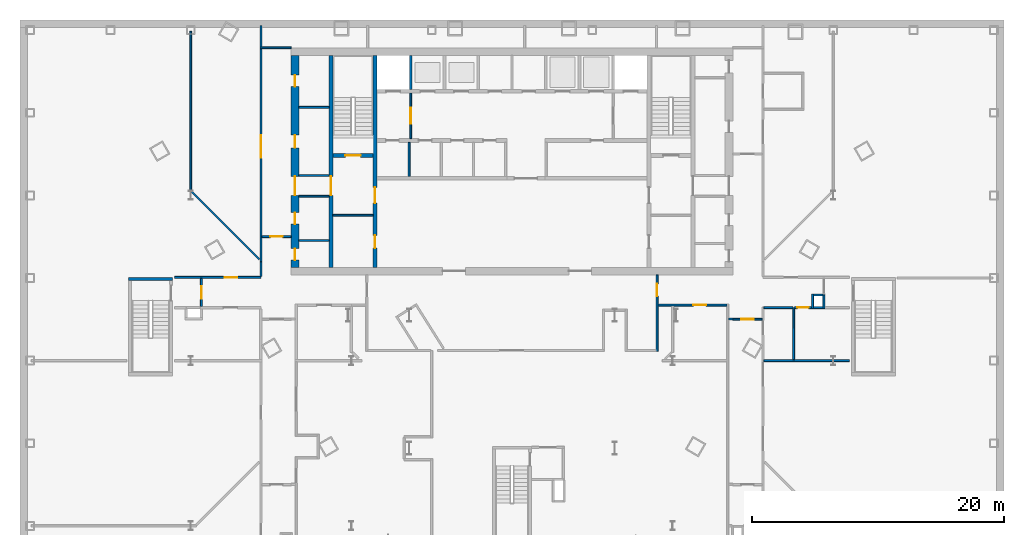
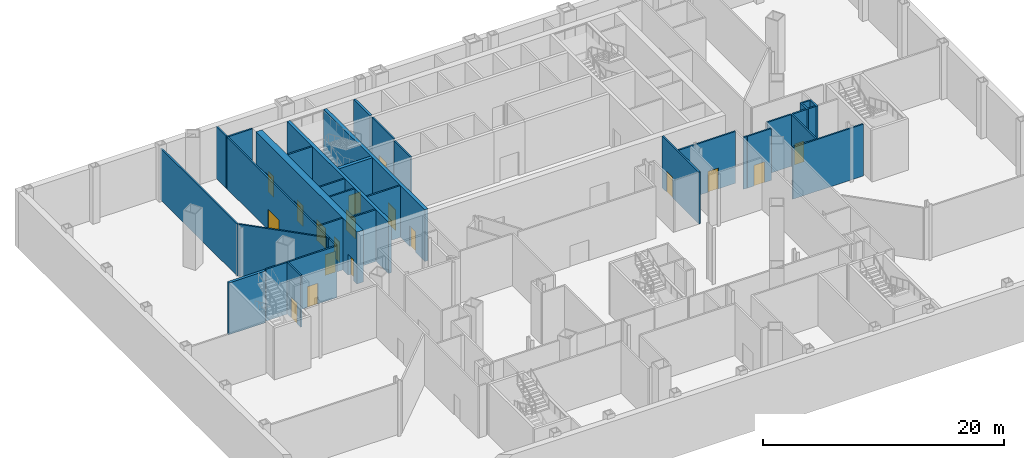
# One storey, part 8 of 18: 34 walls, 18 doors, 18 openings.
"""IFC4 building model written with IfcOpenShell, lengths in metres."""

from ifc_helpers import new_model, si_unit, direction, frame, frame_2d, origin, place, context, subcontext, project, spatial, rectangle, extrude, material, layer, layer_set, type_object, element, fill, save


model = new_model("IFC4")

# Units and contexts
model_context = context("Model", 3, precision=1e-05, world=origin(), true_north=direction((0.0, 1.0)))
body_context = subcontext(model_context, "Body", "Model", "MODEL_VIEW")
ifc_project = project(units=[si_unit("LENGTHUNIT", "METRE"), si_unit("AREAUNIT", "SQUARE_METRE"), si_unit("VOLUMEUNIT", "CUBIC_METRE"), si_unit("PLANEANGLEUNIT", "RADIAN"), si_unit("MASSUNIT", "GRAM", prefix="KILO")], contexts=[model_context])

# Site, building, storey
site_placement = place(None, origin())
site = spatial("IfcSite", under=ifc_project, at=site_placement, CompositionType="ELEMENT")
building_placement = place(site_placement, origin())
building = spatial("IfcBuilding", under=site, at=building_placement, Name="Njiva Tower", CompositionType="ELEMENT")
storey_placement = place(building_placement, frame((0.0, 0.0, -5.7)))
storey = spatial("IfcBuildingStorey", under=building, at=storey_placement, Name="B1", CompositionType="ELEMENT", Elevation=-5.7)

# Walls
ifc_material_1 = material(Name="Blockwork", Category="masonry")
ifc_layer_1 = layer(ifc_material_1, 0.15)
ifc_layer_set_1 = layer_set([ifc_layer_1], Name="Blockwork")
wall_type_1 = type_object("IfcWallType", Name="WT1 Compartment partition 150", PredefinedType="PARTITIONING", material=ifc_layer_set_1)
wall_1_placement = place(storey_placement, frame((-8.15, 7.8, 0.0), z_axis=(0.0, 0.0, 1.0), x_axis=(0.0, 1.0, 0.0)))
element("IfcWall", 1, at=wall_1_placement, inside=storey, type_object=wall_type_1, Name="Partition CS1", PredefinedType="PARTITIONING", context=body_context, shape_type="SweptSolid", body=[
    extrude(rectangle(XDim=2.7, YDim=0.15, at=frame_2d((1.35, 0.0))), origin(), (0.0, 0.0, 1.0), 5.25),
])
wall_2_placement = place(storey_placement, frame((-14.2, 4.725, 0.0), z_axis=(0.0, 0.0, 1.0), x_axis=(1.0, 0.0, 0.0)))
element("IfcWall", 2, at=wall_2_placement, inside=storey, type_object=wall_type_1, Name="Room wall A", PredefinedType="PARTITIONING", context=body_context, shape_type="SweptSolid", body=[
    extrude(rectangle(XDim=3.2, YDim=0.15, at=frame_2d((1.6, 0.0))), origin(), (0.0, 0.0, 1.0), 5.25),
])
wall_3_placement = place(storey_placement, frame((-16.9, 2.7176, 0.0), z_axis=(0.0, 0.0, 1.0), x_axis=(1.0, 0.0, 0.0)))
element("IfcWall", 3, at=wall_3_placement, inside=storey, type_object=wall_type_1, Name="Partition strip W00", PredefinedType="PARTITIONING", context=body_context, shape_type="SweptSolid", body=[
    extrude(rectangle(XDim=2.4, YDim=0.15, at=frame_2d((1.2, 0.0))), origin(), (0.0, 0.0, 1.0), 5.25),
])

# Wall, openings, doors
ifc_material_2 = material(Name="Concrete C40/50", Category="concrete")
ifc_layer_2 = layer(ifc_material_2, 0.3)
ifc_layer_set_2 = layer_set([ifc_layer_2], Name="Concrete C40/50")
wall_type_2 = type_object("IfcWallType", Name="WT10 Stair enclosure wall 300", PredefinedType="SHEAR", material=ifc_layer_set_2)
wall_4_placement = place(storey_placement, frame((-10.85, 0.6, 0.0), z_axis=(0.0, 0.0, 1.0), x_axis=(0.0, 1.0, 0.0)))
wall_4 = element("IfcWall", 4, at=wall_4_placement, inside=storey, type_object=wall_type_2, Name="Stair wall west inner", PredefinedType="SHEAR", context=body_context, shape_type="SweptSolid", body=[
    extrude(rectangle(XDim=16.8, YDim=0.3, at=frame_2d((8.4, 0.0))), origin(), (0.0, 0.0, 1.0), 5.25),
])
opening_1_placement = place(wall_4_placement, frame((5.075, 0.0, 0.0)))
opening_1 = element("IfcOpeningElement", 5, at=opening_1_placement, cuts=wall_4, Name="Opening B1-D916", PredefinedType="OPENING", context=body_context, shape_type="SweptSolid", body=[
    extrude(rectangle(XDim=1.25, YDim=2.1, at=frame_2d((0.625, 1.05))), frame((0.0, 0.16, 0.0), z_axis=(0.0, -1.0, 0.0), x_axis=(1.0, 0.0, 0.0)), (0.0, 0.0, 1.0), 0.32),
])
opening_2_placement = place(wall_4_placement, frame((1.525, 0.0, 0.0)))
opening_2 = element("IfcOpeningElement", 6, at=opening_2_placement, cuts=wall_4, Name="Opening B1-D917", PredefinedType="OPENING", context=body_context, shape_type="SweptSolid", body=[
    extrude(rectangle(XDim=1.0, YDim=2.1, at=frame_2d((0.5, 1.05))), frame((0.0, 0.16, 0.0), z_axis=(0.0, -1.0, 0.0), x_axis=(1.0, 0.0, 0.0)), (0.0, 0.0, 1.0), 0.32),
])
ifc_material_3 = material(Name="Steel door, painted", Category="steel")
door_type_1 = type_object("IfcDoorType", Name="D5 Steel door 1000x2100", OperationType="SINGLE_SWING_LEFT", PredefinedType="DOOR", material=ifc_material_3)
door_1_placement = place(opening_2_placement, origin())
door_1 = element("IfcDoor", 7, at=door_1_placement, inside=storey, type_object=door_type_1, Name="Telecoms room door", OperationType="SINGLE_SWING_RIGHT", OverallHeight=2.1, OverallWidth=1.0, PredefinedType="DOOR", context=body_context, shape_type="SweptSolid", body=[
    extrude(rectangle(XDim=1.0, YDim=2.1, at=frame_2d((0.5, 1.05))), frame((0.0, 0.025, 0.0), z_axis=(0.0, -1.0, 0.0), x_axis=(1.0, 0.0, 0.0)), (0.0, 0.0, 1.0), 0.05),
])
fill(opening_2, door_1)
ifc_material_4 = material(Name="Glazed steel fire door", Category="steel")
door_type_2 = type_object("IfcDoorType", Name="D8 Vestibule corridor door 1250x2100 glazed", OperationType="SINGLE_SWING_LEFT", PredefinedType="DOOR", material=ifc_material_4)
door_2_placement = place(opening_1_placement, origin())
door_2 = element("IfcDoor", 8, at=door_2_placement, inside=storey, type_object=door_type_2, Name="Stair vestibule corridor door", OperationType="SINGLE_SWING_LEFT", OverallHeight=2.1, OverallWidth=1.25, PredefinedType="DOOR", context=body_context, shape_type="SweptSolid", body=[
    extrude(rectangle(XDim=1.25, YDim=2.1, at=frame_2d((0.625, 1.05))), frame((0.0, 0.025, 0.0), z_axis=(0.0, -1.0, 0.0), x_axis=(1.0, 0.0, 0.0)), (0.0, 0.0, 1.0), 0.05),
])
fill(opening_1, door_2)

# Wall, opening, door
wall_5_placement = place(storey_placement, frame((-14.35, 0.6, 0.0), z_axis=(0.0, 0.0, 1.0), x_axis=(0.0, 1.0, 0.0)))
wall_5 = element("IfcWall", 9, at=wall_5_placement, inside=storey, type_object=wall_type_2, Name="Stair wall west outer", PredefinedType="SHEAR", context=body_context, shape_type="SweptSolid", body=[
    extrude(rectangle(XDim=16.8, YDim=0.3, at=frame_2d((8.4, 0.0))), origin(), (0.0, 0.0, 1.0), 5.25),
])
opening_3_placement = place(wall_5_placement, frame((5.7, 0.0, 0.0)))
opening_3 = element("IfcOpeningElement", 10, at=opening_3_placement, cuts=wall_5, Name="Opening B1-D922", PredefinedType="OPENING", context=body_context, shape_type="SweptSolid", body=[
    extrude(rectangle(XDim=1.5, YDim=2.1, at=frame_2d((0.75, 1.05))), frame((0.0, 0.16, 0.0), z_axis=(0.0, -1.0, 0.0), x_axis=(1.0, 0.0, 0.0)), (0.0, 0.0, 1.0), 0.32),
])
door_type_3 = type_object("IfcDoorType", Name="D10 Exit door double 1500x2100 glazed", OperationType="DOUBLE_DOOR_SINGLE_SWING", PredefinedType="DOOR", material=ifc_material_4)
door_3_placement = place(opening_3_placement, origin())
door_3 = element("IfcDoor", 11, at=door_3_placement, inside=storey, type_object=door_type_3, Name="Stair A passage door", OperationType="DOUBLE_DOOR_SINGLE_SWING", OverallHeight=2.1, OverallWidth=1.5, PredefinedType="DOOR", context=body_context, shape_type="SweptSolid", body=[
    extrude(rectangle(XDim=1.5, YDim=2.1, at=frame_2d((0.75, 1.05))), frame((0.0, 0.025, 0.0), z_axis=(0.0, -1.0, 0.0), x_axis=(1.0, 0.0, 0.0)), (0.0, 0.0, 1.0), 0.05),
])
fill(opening_3, door_3)

wall_6_placement = place(storey_placement, frame((-14.2, 9.45, 0.0), z_axis=(0.0, 0.0, 1.0), x_axis=(1.0, 0.0, 0.0)))
wall_6 = element("IfcWall", 12, at=wall_6_placement, inside=storey, type_object=wall_type_2, Name="Stair A south wall", PredefinedType="SHEAR", context=body_context, shape_type="SweptSolid", body=[
    extrude(rectangle(XDim=3.2, YDim=0.3, at=frame_2d((1.6, 0.0))), origin(), (0.0, 0.0, 1.0), 5.25),
])
opening_4_placement = place(wall_6_placement, frame((1.0, 0.0, 0.0)))
opening_4 = element("IfcOpeningElement", 13, at=opening_4_placement, cuts=wall_6, Name="Opening B1-D915", PredefinedType="OPENING", context=body_context, shape_type="SweptSolid", body=[
    extrude(rectangle(XDim=1.2, YDim=2.1, at=frame_2d((0.6, 1.05))), frame((0.0, 0.16, 0.0), z_axis=(0.0, -1.0, 0.0), x_axis=(1.0, 0.0, 0.0)), (0.0, 0.0, 1.0), 0.32),
])
door_type_4 = type_object("IfcDoorType", Name="D7 Stair vestibule door 1200x2100 glazed", OperationType="SINGLE_SWING_LEFT", PredefinedType="DOOR", material=ifc_material_4)
door_4_placement = place(opening_4_placement, origin())
door_4 = element("IfcDoor", 14, at=door_4_placement, inside=storey, type_object=door_type_4, Name="Stair A door", OperationType="SINGLE_SWING_LEFT", OverallHeight=2.1, OverallWidth=1.2, PredefinedType="DOOR", context=body_context, shape_type="SweptSolid", body=[
    extrude(rectangle(XDim=1.2, YDim=2.1, at=frame_2d((0.6, 1.05))), frame((0.0, 0.025, 0.0), z_axis=(0.0, -1.0, 0.0), x_axis=(1.0, 0.0, 0.0)), (0.0, 0.0, 1.0), 0.05),
])
fill(opening_4, door_4)

# Wall, openings, doors
ifc_material_5 = material(Name="Concrete C60/75", Category="concrete")
ifc_layer_3 = layer(ifc_material_5, 0.6)
ifc_layer_set_3 = layer_set([ifc_layer_3], Name="Concrete C60/75")
wall_type_3 = type_object("IfcWallType", Name="WT15 Core wall 600", PredefinedType="SHEAR", material=ifc_layer_set_3)
wall_7_placement = place(storey_placement, frame((-17.2, 0.6, 0.0), z_axis=(0.0, 0.0, 1.0), x_axis=(0.0, 1.0, 0.0)))
wall_7 = element("IfcWall", 15, at=wall_7_placement, inside=storey, type_object=wall_type_3, Name="Core wall west", PredefinedType="SHEAR", context=body_context, shape_type="SweptSolid", body=[
    extrude(rectangle(XDim=16.8, YDim=0.6, at=frame_2d((8.4, 0.0))), origin(), (0.0, 0.0, 1.0), 5.25),
])
opening_5_placement = place(wall_7_placement, frame((5.7, 0.0, 0.0)))
opening_5 = element("IfcOpeningElement", 16, at=opening_5_placement, cuts=wall_7, Name="Opening B1-D923", PredefinedType="OPENING", context=body_context, shape_type="SweptSolid", body=[
    extrude(rectangle(XDim=1.5, YDim=2.1, at=frame_2d((0.75, 1.05))), frame((0.0, 0.31, 0.0), z_axis=(0.0, -1.0, 0.0), x_axis=(1.0, 0.0, 0.0)), (0.0, 0.0, 1.0), 0.62),
])
opening_6_placement = place(wall_7_placement, frame((0.5713, 0.0, 0.0)))
opening_6 = element("IfcOpeningElement", 17, at=opening_6_placement, cuts=wall_7, Name="Opening B1-D924", PredefinedType="OPENING", context=body_context, shape_type="SweptSolid", body=[
    extrude(rectangle(XDim=0.9, YDim=2.1, at=frame_2d((0.45, 1.05))), frame((0.0, 0.31, 0.0), z_axis=(0.0, -1.0, 0.0), x_axis=(1.0, 0.0, 0.0)), (0.0, 0.0, 1.0), 0.62),
])
opening_7_placement = place(wall_7_placement, frame((3.4213, 0.0, 0.0)))
opening_7 = element("IfcOpeningElement", 18, at=opening_7_placement, cuts=wall_7, Name="Opening B1-D925", PredefinedType="OPENING", context=body_context, shape_type="SweptSolid", body=[
    extrude(rectangle(XDim=0.9, YDim=2.1, at=frame_2d((0.45, 1.05))), frame((0.0, 0.31, 0.0), z_axis=(0.0, -1.0, 0.0), x_axis=(1.0, 0.0, 0.0)), (0.0, 0.0, 1.0), 0.62),
])
opening_8_placement = place(wall_7_placement, frame((9.4731, 0.0, 0.0)))
opening_8 = element("IfcOpeningElement", 19, at=opening_8_placement, cuts=wall_7, Name="Opening B1-D926", PredefinedType="OPENING", context=body_context, shape_type="SweptSolid", body=[
    extrude(rectangle(XDim=1.0, YDim=2.1, at=frame_2d((0.5, 1.05))), frame((0.0, 0.31, 0.0), z_axis=(0.0, -1.0, 0.0), x_axis=(1.0, 0.0, 0.0)), (0.0, 0.0, 1.0), 0.62),
])
opening_9_placement = place(wall_7_placement, frame((14.3231, 0.0, 0.0)))
opening_9 = element("IfcOpeningElement", 20, at=opening_9_placement, cuts=wall_7, Name="Opening B1-D927", PredefinedType="OPENING", context=body_context, shape_type="SweptSolid", body=[
    extrude(rectangle(XDim=0.9, YDim=2.1, at=frame_2d((0.45, 1.05))), frame((0.0, 0.31, 0.0), z_axis=(0.0, -1.0, 0.0), x_axis=(1.0, 0.0, 0.0)), (0.0, 0.0, 1.0), 0.62),
])
door_5_placement = place(opening_5_placement, origin())
door_5 = element("IfcDoor", 21, at=door_5_placement, inside=storey, type_object=door_type_3, Name="Stair A corridor door", OperationType="DOUBLE_DOOR_SINGLE_SWING", OverallHeight=2.1, OverallWidth=1.5, PredefinedType="DOOR", context=body_context, shape_type="SweptSolid", body=[
    extrude(rectangle(XDim=1.5, YDim=2.1, at=frame_2d((0.75, 1.05))), frame((0.0, 0.025, 0.0), z_axis=(0.0, -1.0, 0.0), x_axis=(1.0, 0.0, 0.0)), (0.0, 0.0, 1.0), 0.05),
])
fill(opening_5, door_5)
door_type_5 = type_object("IfcDoorType", Name="D4 Riser door 900x2100", OperationType="SINGLE_SWING_LEFT", PredefinedType="DOOR", material=ifc_material_3)
door_6_placement = place(opening_9_placement, origin())
door_6 = element("IfcDoor", 22, at=door_6_placement, inside=storey, type_object=door_type_5, Name="Riser door", OperationType="SINGLE_SWING_LEFT", OverallHeight=2.1, OverallWidth=0.9, PredefinedType="DOOR", context=body_context, shape_type="SweptSolid", body=[
    extrude(rectangle(XDim=0.9, YDim=2.1, at=frame_2d((0.45, 1.05))), frame((0.0, 0.025, 0.0), z_axis=(0.0, -1.0, 0.0), x_axis=(1.0, 0.0, 0.0)), (0.0, 0.0, 1.0), 0.05),
])
fill(opening_9, door_6)
door_7_placement = place(opening_8_placement, origin())
door_7 = element("IfcDoor", 23, at=door_7_placement, inside=storey, type_object=door_type_1, Name="Electrical room door", OperationType="SINGLE_SWING_RIGHT", OverallHeight=2.1, OverallWidth=1.0, PredefinedType="DOOR", context=body_context, shape_type="SweptSolid", body=[
    extrude(rectangle(XDim=1.0, YDim=2.1, at=frame_2d((0.5, 1.05))), frame((0.0, 0.025, 0.0), z_axis=(0.0, -1.0, 0.0), x_axis=(1.0, 0.0, 0.0)), (0.0, 0.0, 1.0), 0.05),
])
fill(opening_8, door_7)
ifc_material_6 = material(Name="Steel fire door, painted", Category="steel")
door_type_6 = type_object("IfcDoorType", Name="D6 Fire-rated door 900x2100", OperationType="SINGLE_SWING_LEFT", PredefinedType="DOOR", material=ifc_material_6)
door_8_placement = place(opening_6_placement, origin())
door_8 = element("IfcDoor", 24, at=door_8_placement, inside=storey, type_object=door_type_6, Name="Cable store door", OperationType="SINGLE_SWING_LEFT", OverallHeight=2.1, OverallWidth=0.9, PredefinedType="DOOR", context=body_context, shape_type="SweptSolid", body=[
    extrude(rectangle(XDim=0.9, YDim=2.1, at=frame_2d((0.45, 1.05))), frame((0.0, 0.025, 0.0), z_axis=(0.0, -1.0, 0.0), x_axis=(1.0, 0.0, 0.0)), (0.0, 0.0, 1.0), 0.05),
])
fill(opening_6, door_8)
door_9_placement = place(opening_7_placement, origin())
door_9 = element("IfcDoor", 25, at=door_9_placement, inside=storey, type_object=door_type_6, Name="Meeting room door", OperationType="SINGLE_SWING_LEFT", OverallHeight=2.1, OverallWidth=0.9, PredefinedType="DOOR", context=body_context, shape_type="SweptSolid", body=[
    extrude(rectangle(XDim=0.9, YDim=2.1, at=frame_2d((0.45, 1.05))), frame((0.0, 0.025, 0.0), z_axis=(0.0, -1.0, 0.0), x_axis=(1.0, 0.0, 0.0)), (0.0, 0.0, 1.0), 0.05),
])
fill(opening_7, door_9)

# Wall, opening, door
ifc_layer_4 = layer(ifc_material_1, 0.15)
ifc_layer_set_4 = layer_set([ifc_layer_4], Name="Blockwork")
wall_type_4 = type_object("IfcWallType", Name="WT2 Lobby partition 150", PredefinedType="PARTITIONING", material=ifc_layer_set_4)
wall_8_placement = place(storey_placement, frame((-8.025, 10.8, 0.0), z_axis=(0.0, 0.0, 1.0), x_axis=(0.0, 1.0, 0.0)))
wall_8 = element("IfcWall", 26, at=wall_8_placement, inside=storey, type_object=wall_type_4, Name="Firefighting lobby wall A", PredefinedType="PARTITIONING", context=body_context, shape_type="SweptSolid", body=[
    extrude(rectangle(XDim=3.6, YDim=0.15, at=frame_2d((1.8, 0.0))), origin(), (0.0, 0.0, 1.0), 5.25),
])
opening_10_placement = place(wall_8_placement, frame((1.175, 0.0, 0.0)))
opening_10 = element("IfcOpeningElement", 27, at=opening_10_placement, cuts=wall_8, Name="Opening B1-D914", PredefinedType="OPENING", context=body_context, shape_type="SweptSolid", body=[
    extrude(rectangle(XDim=1.25, YDim=2.1, at=frame_2d((0.625, 1.05))), frame((0.0, 0.085, 0.0), z_axis=(0.0, -1.0, 0.0), x_axis=(1.0, 0.0, 0.0)), (0.0, 0.0, 1.0), 0.17),
])
door_10_placement = place(opening_10_placement, origin())
door_10 = element("IfcDoor", 28, at=door_10_placement, inside=storey, type_object=door_type_2, Name="Stair vestibule corridor door", OperationType="SINGLE_SWING_RIGHT", OverallHeight=2.1, OverallWidth=1.25, PredefinedType="DOOR", context=body_context, shape_type="SweptSolid", body=[
    extrude(rectangle(XDim=1.25, YDim=2.1, at=frame_2d((0.625, 1.05))), frame((0.0, 0.025, 0.0), z_axis=(0.0, -1.0, 0.0), x_axis=(1.0, 0.0, 0.0)), (0.0, 0.0, 1.0), 0.05),
])
fill(opening_10, door_10)

ifc_material_7 = material(Name="Gypsum board on steel studs", Category="gypsum")
ifc_layer_5 = layer(ifc_material_7, 0.15)
ifc_layer_set_5 = layer_set([ifc_layer_5], Name="Gypsum board on steel studs")
wall_type_5 = type_object("IfcWallType", Name="WT21 Compartment wall 150", PredefinedType="PARTITIONING", material=ifc_layer_set_5)
wall_9_placement = place(storey_placement, frame((-26.75, -0.2, 0.0), z_axis=(0.0, 0.0, 1.0), x_axis=(1.0, 0.0, 0.0)))
wall_9 = element("IfcWall", 29, at=wall_9_placement, inside=storey, type_object=wall_type_5, Name="Partition B1-P005", PredefinedType="PARTITIONING", context=body_context, shape_type="SweptSolid", body=[
    extrude(rectangle(XDim=6.847, YDim=0.15, at=frame_2d((3.4235, 0.0))), origin(), (0.0, 0.0, 1.0), 5.25),
])
opening_11_placement = place(wall_9_placement, frame((3.983, 0.0, 0.0)))
opening_11 = element("IfcOpeningElement", 30, at=opening_11_placement, cuts=wall_9, Name="Opening B1-D001", PredefinedType="OPENING", context=body_context, shape_type="SweptSolid", body=[
    extrude(rectangle(XDim=1.0, YDim=2.1, at=frame_2d((0.5, 1.05))), frame((0.0, 0.085, 0.0), z_axis=(0.0, -1.0, 0.0), x_axis=(1.0, 0.0, 0.0)), (0.0, 0.0, 1.0), 0.17),
])
ifc_material_8 = material(Name="Steel fire door set", Category="steel")
door_type_7 = type_object("IfcDoorType", Name="D37 Fire door 1000x2100", OperationType="SINGLE_SWING_LEFT", PredefinedType="DOOR", material=ifc_material_8)
door_11_placement = place(opening_11_placement, origin())
door_11 = element("IfcDoor", 31, at=door_11_placement, inside=storey, type_object=door_type_7, Name="Door B1-D001", OperationType="SINGLE_SWING_LEFT", OverallHeight=2.1, OverallWidth=1.0, PredefinedType="DOOR", context=body_context, shape_type="SweptSolid", body=[
    extrude(rectangle(XDim=1.0, YDim=2.1, at=frame_2d((0.5, 1.05))), frame((0.0, 0.025, 0.0), z_axis=(0.0, -1.0, 0.0), x_axis=(1.0, 0.0, 0.0)), (0.0, 0.0, 1.0), 0.05),
])
fill(opening_11, door_11)

# Walls
wall_10_placement = place(storey_placement, frame((-25.467, 6.592, 0.0), z_axis=(0.0, 0.0, 1.0), x_axis=(0.0, 1.0, 0.0)))
element("IfcWall", 32, at=wall_10_placement, inside=storey, type_object=wall_type_5, Name="Partition B1-P009", PredefinedType="PARTITIONING", context=body_context, shape_type="SweptSolid", body=[
    extrude(rectangle(XDim=12.708, YDim=0.15, at=frame_2d((6.354, 0.0))), origin(), (0.0, 0.0, 1.0), 5.25),
])
wall_11_placement = place(storey_placement, frame((-25.392, 6.592, 0.0), z_axis=(0.0, 0.0, 1.0), x_axis=(0.707106781187, -0.707106781187, 0.0)))
element("IfcWall", 33, at=wall_11_placement, inside=storey, type_object=wall_type_5, Name="Partition B1-P010", PredefinedType="PARTITIONING", context=body_context, shape_type="SweptSolid", body=[
    extrude(rectangle(XDim=7.5858, YDim=0.15, at=frame_2d((3.7929, 0.0))), origin(), (0.0, 0.0, 1.0), 5.25),
])

# Wall, opening, door
wall_12_placement = place(storey_placement, frame((-24.625, -2.5, 0.0), z_axis=(0.0, 0.0, 1.0), x_axis=(0.0, 1.0, 0.0)))
wall_12 = element("IfcWall", 34, at=wall_12_placement, inside=storey, type_object=wall_type_5, Name="Partition B1-P014", PredefinedType="PARTITIONING", context=body_context, shape_type="SweptSolid", body=[
    extrude(rectangle(XDim=2.225, YDim=0.15, at=frame_2d((1.1125, 0.0))), origin(), (0.0, 0.0, 1.0), 5.25),
])
opening_12_placement = place(wall_12_placement, frame((0.613, 0.0, 0.0)))
opening_12 = element("IfcOpeningElement", 35, at=opening_12_placement, cuts=wall_12, Name="Opening B1-D003", PredefinedType="OPENING", context=body_context, shape_type="SweptSolid", body=[
    extrude(rectangle(XDim=1.0, YDim=2.1, at=frame_2d((0.5, 1.05))), frame((0.0, 0.085, 0.0), z_axis=(0.0, -1.0, 0.0), x_axis=(1.0, 0.0, 0.0)), (0.0, 0.0, 1.0), 0.17),
])
door_type_8 = type_object("IfcDoorType", Name="D41 Glazed fire door 1000x2100", OperationType="SINGLE_SWING_LEFT", PredefinedType="DOOR", material=ifc_material_4)
door_12_placement = place(opening_12_placement, origin())
door_12 = element("IfcDoor", 36, at=door_12_placement, inside=storey, type_object=door_type_8, Name="Door B1-D003", OperationType="SINGLE_SWING_LEFT", OverallHeight=2.1, OverallWidth=1.0, PredefinedType="DOOR", context=body_context, shape_type="SweptSolid", body=[
    extrude(rectangle(XDim=1.0, YDim=2.1, at=frame_2d((0.5, 1.05))), frame((0.0, 0.025, 0.0), z_axis=(0.0, -1.0, 0.0), x_axis=(1.0, 0.0, 0.0)), (0.0, 0.0, 1.0), 0.05),
])
fill(opening_12, door_12)

# Wall
wall_13_placement = place(storey_placement, frame((-19.9, -0.125, 0.0), z_axis=(0.0, 0.0, 1.0), x_axis=(0.0, 1.0, 0.0)))
element("IfcWall", 37, at=wall_13_placement, inside=storey, type_object=wall_type_5, Name="Partition B1-P018", PredefinedType="PARTITIONING", context=body_context, shape_type="SweptSolid", body=[
    extrude(rectangle(XDim=1.15, YDim=0.15, at=frame_2d((0.575, 0.0))), origin(), (0.0, 0.0, 1.0), 5.25),
])

# Wall, opening, door
wall_14_placement = place(storey_placement, frame((-19.9, 1.025, 0.0), z_axis=(0.0, 0.0, 1.0), x_axis=(0.0, 1.0, 0.0)))
wall_14 = element("IfcWall", 38, at=wall_14_placement, inside=storey, type_object=wall_type_5, Name="Partition B1-P019", PredefinedType="PARTITIONING", context=body_context, shape_type="SweptSolid", body=[
    extrude(rectangle(XDim=16.9, YDim=0.15, at=frame_2d((8.45, 0.0))), origin(), (0.0, 0.0, 1.0), 5.25),
])
opening_13_placement = place(wall_14_placement, frame((8.244, 0.0, 0.0)))
opening_13 = element("IfcOpeningElement", 39, at=opening_13_placement, cuts=wall_14, Name="Opening B1-D006", PredefinedType="OPENING", context=body_context, shape_type="SweptSolid", body=[
    extrude(rectangle(XDim=1.8, YDim=2.1, at=frame_2d((0.9, 1.05))), frame((0.0, 0.085, 0.0), z_axis=(0.0, -1.0, 0.0), x_axis=(1.0, 0.0, 0.0)), (0.0, 0.0, 1.0), 0.17),
])
door_type_9 = type_object("IfcDoorType", Name="D38 Fire door 1800x2100", OperationType="DOUBLE_DOOR_SINGLE_SWING", PredefinedType="DOOR", material=ifc_material_8)
door_13_placement = place(opening_13_placement, origin())
door_13 = element("IfcDoor", 40, at=door_13_placement, inside=storey, type_object=door_type_9, Name="Door B1-D006", OperationType="DOUBLE_DOOR_SINGLE_SWING", OverallHeight=2.1, OverallWidth=1.8, PredefinedType="DOOR", context=body_context, shape_type="SweptSolid", body=[
    extrude(rectangle(XDim=1.8, YDim=2.1, at=frame_2d((0.9, 1.05))), frame((0.0, 0.025, 0.0), z_axis=(0.0, -1.0, 0.0), x_axis=(1.0, 0.0, 0.0)), (0.0, 0.0, 1.0), 0.05),
])
fill(opening_13, door_13)

wall_15_placement = place(storey_placement, frame((-19.825, 3.025, 0.0), z_axis=(0.0, 0.0, 1.0), x_axis=(1.0, 0.0, 0.0)))
wall_15 = element("IfcWall", 41, at=wall_15_placement, inside=storey, type_object=wall_type_5, Name="Partition B1-P023", PredefinedType="PARTITIONING", context=body_context, shape_type="SweptSolid", body=[
    extrude(rectangle(XDim=2.325, YDim=0.15, at=frame_2d((1.1625, 0.0))), origin(), (0.0, 0.0, 1.0), 5.25),
])
opening_14_placement = place(wall_15_placement, frame((0.662, 0.0, 0.0)))
opening_14 = element("IfcOpeningElement", 42, at=opening_14_placement, cuts=wall_15, Name="Opening B1-D008", PredefinedType="OPENING", context=body_context, shape_type="SweptSolid", body=[
    extrude(rectangle(XDim=1.0, YDim=2.1, at=frame_2d((0.5, 1.05))), frame((0.0, 0.085, 0.0), z_axis=(0.0, -1.0, 0.0), x_axis=(1.0, 0.0, 0.0)), (0.0, 0.0, 1.0), 0.17),
])
door_14_placement = place(opening_14_placement, origin())
door_14 = element("IfcDoor", 43, at=door_14_placement, inside=storey, type_object=door_type_7, Name="Door B1-D008", OperationType="SINGLE_SWING_LEFT", OverallHeight=2.1, OverallWidth=1.0, PredefinedType="DOOR", context=body_context, shape_type="SweptSolid", body=[
    extrude(rectangle(XDim=1.0, YDim=2.1, at=frame_2d((0.5, 1.05))), frame((0.0, 0.025, 0.0), z_axis=(0.0, -1.0, 0.0), x_axis=(1.0, 0.0, 0.0)), (0.0, 0.0, 1.0), 0.05),
])
fill(opening_14, door_14)

wall_16_placement = place(storey_placement, frame((11.5, -6.075, 0.0), z_axis=(0.0, 0.0, 1.0), x_axis=(0.0, 1.0, 0.0)))
wall_16 = element("IfcWall", 44, at=wall_16_placement, inside=storey, type_object=wall_type_5, Name="Partition B1-P078", PredefinedType="PARTITIONING", context=body_context, shape_type="SweptSolid", body=[
    extrude(rectangle(XDim=6.075, YDim=0.15, at=frame_2d((3.0375, 0.0))), origin(), (0.0, 0.0, 1.0), 5.25),
])
opening_15_placement = place(wall_16_placement, frame((4.375, 0.0, 0.0)))
opening_15 = element("IfcOpeningElement", 45, at=opening_15_placement, cuts=wall_16, Name="Opening B1-D020", PredefinedType="OPENING", context=body_context, shape_type="SweptSolid", body=[
    extrude(rectangle(XDim=1.0, YDim=2.1, at=frame_2d((0.5, 1.05))), frame((0.0, 0.085, 0.0), z_axis=(0.0, -1.0, 0.0), x_axis=(1.0, 0.0, 0.0)), (0.0, 0.0, 1.0), 0.17),
])
door_15_placement = place(opening_15_placement, origin())
door_15 = element("IfcDoor", 46, at=door_15_placement, inside=storey, type_object=door_type_7, Name="Door B1-D020", OperationType="SINGLE_SWING_RIGHT", OverallHeight=2.1, OverallWidth=1.0, PredefinedType="DOOR", context=body_context, shape_type="SweptSolid", body=[
    extrude(rectangle(XDim=1.0, YDim=2.1, at=frame_2d((0.5, 1.05))), frame((0.0, 0.025, 0.0), z_axis=(0.0, -1.0, 0.0), x_axis=(1.0, 0.0, 0.0)), (0.0, 0.0, 1.0), 0.05),
])
fill(opening_15, door_15)

wall_17_placement = place(storey_placement, frame((11.575, -2.4, 0.0), z_axis=(0.0, 0.0, 1.0), x_axis=(1.0, 0.0, 0.0)))
wall_17 = element("IfcWall", 47, at=wall_17_placement, inside=storey, type_object=wall_type_5, Name="Partition B1-P079", PredefinedType="PARTITIONING", context=body_context, shape_type="SweptSolid", body=[
    extrude(rectangle(XDim=5.45, YDim=0.15, at=frame_2d((2.725, 0.0))), origin(), (0.0, 0.0, 1.0), 5.25),
])
opening_16_placement = place(wall_17_placement, frame((2.804, 0.0, 0.0)))
opening_16 = element("IfcOpeningElement", 48, at=opening_16_placement, cuts=wall_17, Name="Opening B1-D021", PredefinedType="OPENING", context=body_context, shape_type="SweptSolid", body=[
    extrude(rectangle(XDim=1.0, YDim=2.1, at=frame_2d((0.5, 1.05))), frame((0.0, 0.085, 0.0), z_axis=(0.0, -1.0, 0.0), x_axis=(1.0, 0.0, 0.0)), (0.0, 0.0, 1.0), 0.17),
])
door_16_placement = place(opening_16_placement, origin())
door_16 = element("IfcDoor", 49, at=door_16_placement, inside=storey, type_object=door_type_7, Name="Door B1-D021", OperationType="SINGLE_SWING_RIGHT", OverallHeight=2.1, OverallWidth=1.0, PredefinedType="DOOR", context=body_context, shape_type="SweptSolid", body=[
    extrude(rectangle(XDim=1.0, YDim=2.1, at=frame_2d((0.5, 1.05))), frame((0.0, 0.025, 0.0), z_axis=(0.0, -1.0, 0.0), x_axis=(1.0, 0.0, 0.0)), (0.0, 0.0, 1.0), 0.05),
])
fill(opening_16, door_16)

# Wall
wall_18_placement = place(storey_placement, frame((17.175, -3.5, 0.0), z_axis=(0.0, 0.0, 1.0), x_axis=(1.0, 0.0, 0.0)))
element("IfcWall", 50, at=wall_18_placement, inside=storey, type_object=wall_type_5, Name="Partition B1-P090", PredefinedType="PARTITIONING", context=body_context, shape_type="SweptSolid", body=[
    extrude(rectangle(XDim=0.325, YDim=0.15, at=frame_2d((0.1625, 0.0))), origin(), (0.0, 0.0, 1.0), 5.25),
])

# Wall, opening, door
wall_19_placement = place(storey_placement, frame((17.5, -3.525, 0.0), z_axis=(0.0, 0.0, 1.0), x_axis=(1.0, 0.0, 0.0)))
wall_19 = element("IfcWall", 51, at=wall_19_placement, inside=storey, type_object=wall_type_5, Name="Partition B1-P093", PredefinedType="PARTITIONING", context=body_context, shape_type="SweptSolid", body=[
    extrude(rectangle(XDim=2.325, YDim=0.15, at=frame_2d((1.1625, 0.0))), origin(), (0.0, 0.0, 1.0), 5.25),
])
opening_17_placement = place(wall_19_placement, frame((0.662, 0.0, 0.0)))
opening_17 = element("IfcOpeningElement", 52, at=opening_17_placement, cuts=wall_19, Name="Opening B1-D025", PredefinedType="OPENING", context=body_context, shape_type="SweptSolid", body=[
    extrude(rectangle(XDim=1.0, YDim=2.1, at=frame_2d((0.5, 1.05))), frame((0.0, 0.085, 0.0), z_axis=(0.0, -1.0, 0.0), x_axis=(1.0, 0.0, 0.0)), (0.0, 0.0, 1.0), 0.17),
])
door_17_placement = place(opening_17_placement, origin())
door_17 = element("IfcDoor", 53, at=door_17_placement, inside=storey, type_object=door_type_7, Name="Door B1-D025", OperationType="SINGLE_SWING_RIGHT", OverallHeight=2.1, OverallWidth=1.0, PredefinedType="DOOR", context=body_context, shape_type="SweptSolid", body=[
    extrude(rectangle(XDim=1.0, YDim=2.1, at=frame_2d((0.5, 1.05))), frame((0.0, 0.025, 0.0), z_axis=(0.0, -1.0, 0.0), x_axis=(1.0, 0.0, 0.0)), (0.0, 0.0, 1.0), 0.05),
])
fill(opening_17, door_17)

# Walls
wall_20_placement = place(storey_placement, frame((19.975, -6.8, 0.0), z_axis=(0.0, 0.0, 1.0), x_axis=(1.0, 0.0, 0.0)))
element("IfcWall", 54, at=wall_20_placement, inside=storey, type_object=wall_type_5, Name="Partition B1-P108", PredefinedType="PARTITIONING", context=body_context, shape_type="SweptSolid", body=[
    extrude(rectangle(XDim=6.775, YDim=0.15, at=frame_2d((3.3875, 0.0))), origin(), (0.0, 0.0, 1.0), 5.25),
])
wall_21_placement = place(storey_placement, frame((19.975, -2.6, 0.0), z_axis=(0.0, 0.0, 1.0), x_axis=(1.0, 0.0, 0.0)))
element("IfcWall", 55, at=wall_21_placement, inside=storey, type_object=wall_type_5, Name="Partition B1-P109", PredefinedType="PARTITIONING", context=body_context, shape_type="SweptSolid", body=[
    extrude(rectangle(XDim=2.282, YDim=0.15, at=frame_2d((1.141, 0.0))), origin(), (0.0, 0.0, 1.0), 5.25),
])
wall_22_placement = place(storey_placement, frame((22.326, -6.725, 0.0), z_axis=(0.0, 0.0, 1.0), x_axis=(0.001454543916, 0.99999894215, 0.0)))
element("IfcWall", 56, at=wall_22_placement, inside=storey, type_object=wall_type_5, Name="Partition B1-P114", PredefinedType="PARTITIONING", context=body_context, shape_type="SweptSolid", body=[
    extrude(rectangle(XDim=4.125, YDim=0.15, at=frame_2d((2.0625, 0.0))), origin(), (0.0, 0.0, 1.0), 5.25),
])

# Wall, opening, door
wall_23_placement = place(storey_placement, frame((22.407, -2.6, 0.0), z_axis=(0.0, 0.0, 1.0), x_axis=(1.0, 0.0, 0.0)))
wall_23 = element("IfcWall", 57, at=wall_23_placement, inside=storey, type_object=wall_type_5, Name="Partition B1-P115", PredefinedType="PARTITIONING", context=body_context, shape_type="SweptSolid", body=[
    extrude(rectangle(XDim=1.343, YDim=0.15, at=frame_2d((0.6715, 0.0))), origin(), (0.0, 0.0, 1.0), 5.25),
])
opening_18_placement = place(wall_23_placement, frame((0.2, 0.0, 0.0)))
opening_18 = element("IfcOpeningElement", 58, at=opening_18_placement, cuts=wall_23, Name="Opening B1-D036", PredefinedType="OPENING", context=body_context, shape_type="SweptSolid", body=[
    extrude(rectangle(XDim=0.9, YDim=2.1, at=frame_2d((0.45, 1.05))), frame((0.0, 0.085, 0.0), z_axis=(0.0, -1.0, 0.0), x_axis=(1.0, 0.0, 0.0)), (0.0, 0.0, 1.0), 0.17),
])
door_type_10 = type_object("IfcDoorType", Name="D36 Fire door 900x2100", OperationType="SINGLE_SWING_LEFT", PredefinedType="DOOR", material=ifc_material_8)
door_18_placement = place(opening_18_placement, origin())
door_18 = element("IfcDoor", 59, at=door_18_placement, inside=storey, type_object=door_type_10, Name="Door B1-D036", OperationType="SINGLE_SWING_LEFT", OverallHeight=2.1, OverallWidth=0.9, PredefinedType="DOOR", context=body_context, shape_type="SweptSolid", body=[
    extrude(rectangle(XDim=0.9, YDim=2.1, at=frame_2d((0.45, 1.05))), frame((0.0, 0.025, 0.0), z_axis=(0.0, -1.0, 0.0), x_axis=(1.0, 0.0, 0.0)), (0.0, 0.0, 1.0), 0.05),
])
fill(opening_18, door_18)

# Walls
ifc_layer_6 = layer(ifc_material_7, 0.15)
ifc_layer_set_6 = layer_set([ifc_layer_6], Name="Gypsum board on steel studs")
wall_type_6 = type_object("IfcWallType", Name="WT24 Riser room wall 150", PredefinedType="PARTITIONING", material=ifc_layer_set_6)
wall_24_placement = place(storey_placement, frame((-19.975, 18.0, 0.0), z_axis=(0.0, 0.0, 1.0), x_axis=(1.0, 0.0, 0.0)))
element("IfcWall", 60, at=wall_24_placement, inside=storey, type_object=wall_type_6, Name="Partition B1-P015", PredefinedType="PARTITIONING", context=body_context, shape_type="SweptSolid", body=[
    extrude(rectangle(XDim=2.475, YDim=0.15, at=frame_2d((1.2375, 0.0))), origin(), (0.0, 0.0, 1.0), 5.25),
])
wall_25_placement = place(storey_placement, frame((-19.9, 18.075, 0.0), z_axis=(0.0, 0.0, 1.0), x_axis=(0.0, 1.0, 0.0)))
element("IfcWall", 61, at=wall_25_placement, inside=storey, type_object=wall_type_6, Name="Partition B1-P020", PredefinedType="PARTITIONING", context=body_context, shape_type="SweptSolid", body=[
    extrude(rectangle(XDim=1.675, YDim=0.15, at=frame_2d((0.8375, 0.0))), origin(), (0.0, 0.0, 1.0), 5.25),
])
wall_26_placement = place(storey_placement, frame((23.825, -2.675, 0.0), z_axis=(0.0, 0.0, 1.0), x_axis=(0.0, 1.0, 0.0)))
element("IfcWall", 62, at=wall_26_placement, inside=storey, type_object=wall_type_6, Name="Partition B1-P117", PredefinedType="PARTITIONING", context=body_context, shape_type="SweptSolid", body=[
    extrude(rectangle(XDim=1.15, YDim=0.15, at=frame_2d((0.575, 0.0))), origin(), (0.0, 0.0, 1.0), 5.25),
])
for number, where, z_axis, x_axis, name in (
    (63, (23.9, -2.6, 0.0), (0.0, 0.0, 1.0), (1.0, 0.0, 0.0), "Partition B1-P118"),
    (64, (23.9, -1.6, 0.0), (0.0, 0.0, 1.0), (1.0, 0.0, 0.0), "Partition B1-P119"),
):
    element("IfcWall", number, at=place(storey_placement, frame(where, z_axis=z_axis, x_axis=x_axis)), inside=storey, type_object=wall_type_6, Name=name, PredefinedType="PARTITIONING", context=body_context, shape_type="SweptSolid", body=[
        extrude(rectangle(XDim=0.75, YDim=0.15, at=frame_2d((0.375, 0.0))), origin(), (0.0, 0.0, 1.0), 5.25),
    ])
wall_27_placement = place(storey_placement, frame((24.725, -2.675, 0.0), z_axis=(0.0, 0.0, 1.0), x_axis=(0.0, 1.0, 0.0)))
element("IfcWall", 65, at=wall_27_placement, inside=storey, type_object=wall_type_6, Name="Partition B1-P120", PredefinedType="PARTITIONING", context=body_context, shape_type="SweptSolid", body=[
    extrude(rectangle(XDim=1.087, YDim=0.15, at=frame_2d((0.5435, 0.0))), origin(), (0.0, 0.0, 1.0), 5.25),
])
ifc_layer_7 = layer(ifc_material_1, 0.15)
ifc_layer_set_7 = layer_set([ifc_layer_7], Name="Blockwork")
wall_type_7 = type_object("IfcWallType", Name="WT3 Riser partition 150", PredefinedType="PARTITIONING", material=ifc_layer_set_7)
wall_28_placement = place(storey_placement, frame((-16.9, 13.2712, 0.0), z_axis=(0.0, 0.0, 1.0), x_axis=(1.0, 0.0, 0.0)))
element("IfcWall", 66, at=wall_28_placement, inside=storey, type_object=wall_type_7, Name="Partition strip W10", PredefinedType="PARTITIONING", context=body_context, shape_type="SweptSolid", body=[
    extrude(rectangle(XDim=2.4, YDim=0.15, at=frame_2d((1.2, 0.0))), origin(), (0.0, 0.0, 1.0), 5.25),
])
ifc_layer_8 = layer(ifc_material_1, 0.15)
ifc_layer_set_8 = layer_set([ifc_layer_8], Name="Blockwork")
wall_type_8 = type_object("IfcWallType", Name="WT4 Stair partition 150", PredefinedType="PARTITIONING", material=ifc_layer_set_8)
for number, where, z_axis, x_axis, name in (
    (67, (-16.9, 6.225, 0.0), (0.0, 0.0, 1.0), (1.0, 0.0, 0.0), "Stair A exit passage wall south"),
    (68, (-16.9, 7.875, 0.0), (0.0, 0.0, 1.0), (1.0, 0.0, 0.0), "Stair A exit passage wall north"),
):
    element("IfcWall", number, at=place(storey_placement, frame(where, z_axis=z_axis, x_axis=x_axis)), inside=storey, type_object=wall_type_8, Name=name, PredefinedType="PARTITIONING", context=body_context, shape_type="SweptSolid", body=[
        extrude(rectangle(XDim=2.4, YDim=0.15, at=frame_2d((1.2, 0.0))), origin(), (0.0, 0.0, 1.0), 5.25),
    ])
ifc_layer_9 = layer(ifc_material_2, 0.2)
ifc_layer_set_9 = layer_set([ifc_layer_9], Name="Concrete C40/50")
wall_type_9 = type_object("IfcWallType", Name="WT6 Lift shaft wall 200", PredefinedType="SHEAR", material=ifc_layer_set_9)
wall_29_placement = place(storey_placement, frame((-8.025, 14.7, 0.0), z_axis=(0.0, 0.0, 1.0), x_axis=(0.0, 1.0, 0.0)))
element("IfcWall", 69, at=wall_29_placement, inside=storey, type_object=wall_type_9, Name="Shaft wall CN1", PredefinedType="SHEAR", context=body_context, shape_type="SweptSolid", body=[
    extrude(rectangle(XDim=2.7, YDim=0.2, at=frame_2d((1.35, 0.0))), origin(), (0.0, 0.0, 1.0), 5.25),
])
ifc_layer_10 = layer(ifc_material_2, 0.25)
ifc_layer_set_10 = layer_set([ifc_layer_10], Name="Concrete C40/50")
wall_type_10 = type_object("IfcWallType", Name="WT9 Stair enclosure wall 250", PredefinedType="SHEAR", material=ifc_layer_set_10)
wall_30_placement = place(storey_placement, frame((-30.4, -0.325, 0.0), z_axis=(0.0, 0.0, 1.0), x_axis=(1.0, 0.0, 0.0)))
element("IfcWall", 70, at=wall_30_placement, inside=storey, type_object=wall_type_10, Name="Stair F wall north", PredefinedType="SHEAR", context=body_context, shape_type="SweptSolid", body=[
    extrude(rectangle(XDim=3.5, YDim=0.25, at=frame_2d((1.75, 0.0))), origin(), (0.0, 0.0, 1.0), 5.25),
])

save(model, "model.ifc")
